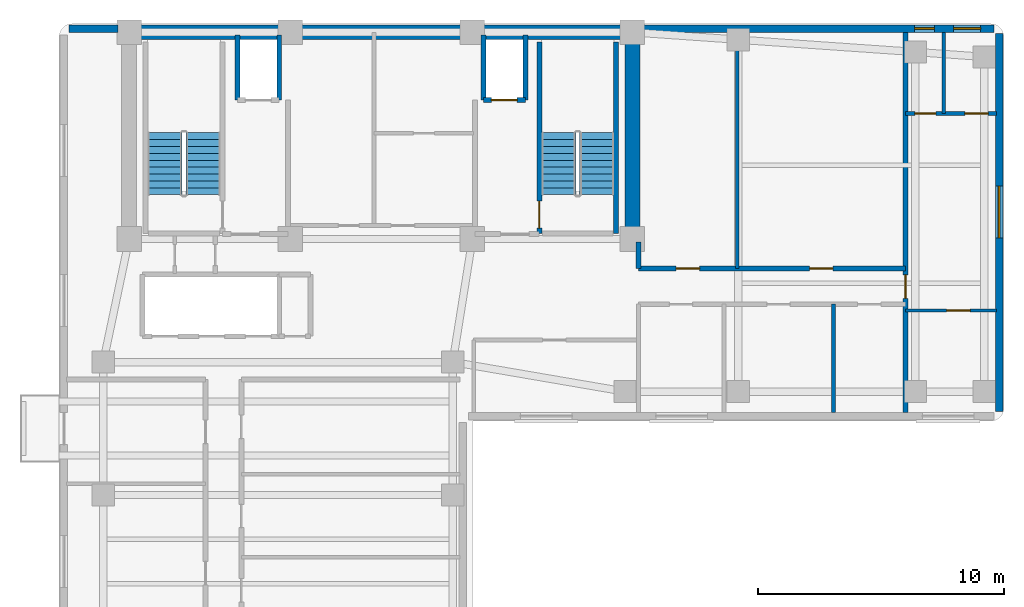
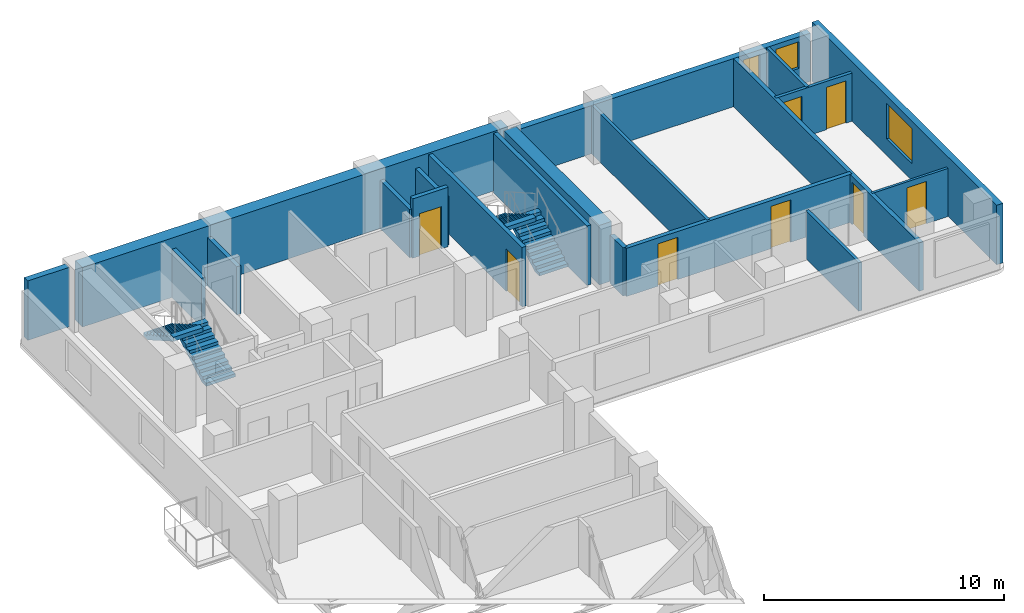
# One storey, part 4 of 6: 20 walls, 8 doors, 4 stair flights, 3 windows, 11 openings, 2 elements without a shape of their own.
"""IFC4 building model written with IfcOpenShell, lengths in metres."""

import ifcopenshell
import ifcopenshell.guid

model = None  # the IFC model being written
_history = None  # IfcOwnerHistory: only IFC2X3 demands one
_inside = {}  # id of a spatial element -> (the spatial element, [elements in it])
_under = {}  # id of a project, library or spatial element -> (it, [spatial elements below it])
_declared = {}  # id of a project -> (the project, [libraries it declares])
_typed = {}  # id of a type object -> (the type object, [elements of that type])
_made_of = {}  # id of a material, layer set ... -> (it, [elements and type objects made of it])


def new_model(schema):
    """Start an empty IFC model of exactly this schema.

    Asked for "IFC4X3", IfcOpenShell would pick the latest addendum, in which some entities
    have other attributes; the version numbers below select the first issue.
    IFC2X3 requires an IfcOwnerHistory on every rooted entity: one is made here for all.
    """
    global model, _history
    if schema == "IFC4X3":
        model = ifcopenshell.file(schema_version=(4, 3, 0, 0))
    else:
        model = ifcopenshell.file(schema=schema)
    _inside.clear()
    _under.clear()
    _declared.clear()
    _typed.clear()
    _made_of.clear()
    _history = None
    if model.schema == "IFC2X3":
        org = make("IfcOrganization", Name="unknown")
        user = make(
            "IfcPersonAndOrganization",
            ThePerson=make("IfcPerson", FamilyName="unknown"),
            TheOrganization=org,
        )
        app = make(
            "IfcApplication",
            ApplicationDeveloper=org,
            Version="unknown",
            ApplicationFullName="unknown",
            ApplicationIdentifier="unknown",
        )
        _history = make(
            "IfcOwnerHistory",
            OwningUser=user,
            OwningApplication=app,
            ChangeAction="ADDED",
            CreationDate=0,
        )
    return model


def make(cls, **values):
    """One entity of the class cls with the attributes given. An attribute that is None is left unset."""
    return model.create_entity(
        cls, **{name: value for name, value in values.items() if value is not None}
    )


def rooted(cls, **values):
    """An entity with a GlobalId (a new one), such as an element, a storey or a relation."""
    return make(cls, GlobalId=ifcopenshell.guid.new(), OwnerHistory=_history, **values)


def si_unit(unit_type, name, prefix=None):
    """IfcSIUnit, for example si_unit("LENGTHUNIT", "METRE", prefix="MILLI")."""
    return make("IfcSIUnit", UnitType=unit_type, Prefix=prefix, Name=name)


def assignment(units):
    """IfcUnitAssignment: the units of a project."""
    return None if units is None else make("IfcUnitAssignment", Units=units)


def point(xyz):
    """IfcCartesianPoint."""
    return None if xyz is None else make("IfcCartesianPoint", Coordinates=xyz)


def direction(xyz):
    """IfcDirection."""
    return None if xyz is None else make("IfcDirection", DirectionRatios=xyz)


def frame(location, z_axis=None, x_axis=None):
    """IfcAxis2Placement3D, a coordinate frame: its origin and axes. An axis left out is left unset."""
    return make(
        "IfcAxis2Placement3D",
        Location=point(location),
        Axis=direction(z_axis),
        RefDirection=direction(x_axis),
    )


def frame_2d(location, x_axis=None):
    """IfcAxis2Placement2D, a coordinate frame in the plane: its origin and x axis."""
    return make(
        "IfcAxis2Placement2D", Location=point(location), RefDirection=direction(x_axis)
    )


def origin():
    """The frame at (0, 0, 0) with its axes left unset."""
    return frame((0.0, 0.0, 0.0))


def place(relative_to, where):
    """IfcLocalPlacement: puts the frame where relative to a parent placement (None: the world)."""
    return make(
        "IfcLocalPlacement", PlacementRelTo=relative_to, RelativePlacement=where
    )


def context(
    kind, dimensions, precision=None, world=None, true_north=None, identifier=None
):
    """IfcGeometricRepresentationContext, for example the 3D "Model" context."""
    return make(
        "IfcGeometricRepresentationContext",
        ContextIdentifier=identifier,
        ContextType=kind,
        CoordinateSpaceDimension=dimensions,
        Precision=precision,
        WorldCoordinateSystem=world,
        TrueNorth=true_north,
    )


def subcontext(parent, identifier, kind, view, scale=None):
    """IfcGeometricRepresentationSubContext, for example "Body" below "Model"."""
    return make(
        "IfcGeometricRepresentationSubContext",
        ContextIdentifier=identifier,
        ContextType=kind,
        ParentContext=parent,
        TargetScale=scale,
        TargetView=view,
    )


def project(units=None, contexts=None):
    """IfcProject with its units and contexts."""
    return rooted(
        "IfcProject",
        Name="project",
        RepresentationContexts=contexts,
        UnitsInContext=assignment(units),
    )


def spatial(cls, under=None, at=None, **own):
    """A site, building, storey or space (cls), placed at a placement, below another one or the project."""
    s = rooted(cls, ObjectPlacement=at, **own)
    if under is not None:
        _under.setdefault(under.id(), (under, []))[1].append(s)
    return s


def polyline(points):
    """IfcPolyline through the points."""
    return make("IfcPolyline", Points=[point(p) for p in points])


def profile(cls, at=None, kind="AREA", **sizes):
    """A parametric profile (cls). Its sizes go by their IFC names, for example OverallWidth=200.0."""
    return make(cls, ProfileType=kind, Position=at, **sizes)


def rectangle(**sizes):
    """IfcRectangleProfileDef."""
    return profile("IfcRectangleProfileDef", **sizes)


def outline(outer, holes=None, kind="AREA"):
    """IfcArbitraryClosedProfileDef: a profile drawn as a closed curve; with holes, ...WithVoids."""
    if holes is None:
        return make("IfcArbitraryClosedProfileDef", ProfileType=kind, OuterCurve=outer)
    return make(
        "IfcArbitraryProfileDefWithVoids",
        ProfileType=kind,
        OuterCurve=outer,
        InnerCurves=holes,
    )


def extrude(swept, where, along, depth):
    """IfcExtrudedAreaSolid: the profile swept, set in the frame where, extruded along a direction by depth."""
    return make(
        "IfcExtrudedAreaSolid",
        SweptArea=swept,
        Position=where,
        ExtrudedDirection=direction(along),
        Depth=depth,
    )


def shape(context_of_items, identifier, shape_type, items):
    """IfcShapeRepresentation: the items that make up one representation, for example the "Body"."""
    return make(
        "IfcShapeRepresentation",
        ContextOfItems=context_of_items,
        RepresentationIdentifier=identifier,
        RepresentationType=shape_type,
        Items=items,
    )


def material(Name=None, Category=None):
    """IfcMaterial."""
    return make("IfcMaterial", Name=Name, Category=Category)


def layer(
    of_material, thickness, ventilated=None, Name=None, Category=None, Priority=None
):
    """IfcMaterialLayer: one layer of a wall or slab, of a material (None: an air gap)."""
    return make(
        "IfcMaterialLayer",
        Material=of_material,
        LayerThickness=thickness,
        IsVentilated=ventilated,
        Name=Name,
        Category=Category,
        Priority=Priority,
    )


def layer_set(layers, Name=None):
    """IfcMaterialLayerSet."""
    return make("IfcMaterialLayerSet", MaterialLayers=layers, LayerSetName=Name)


def made_of(thing, what):
    """Note that an element or type object is made of a material, layer set ...; save() writes the relation."""
    if what is not None:
        _made_of.setdefault(what.id(), (what, []))[1].append(thing)
    return thing


def type_object(cls, material=None, **own):
    """A type object (cls), such as IfcWallType, which elements share."""
    return made_of(rooted(cls, **own), material)


def element(
    cls,
    number,
    at=None,
    inside=None,
    cuts=None,
    type_object=None,
    material=None,
    context=None,
    identifier="Body",
    shape_type=None,
    held_by="IfcProductDefinitionShape",
    body=None,
    shapes=None,
    **own,
):
    """One element of the class cls, such as IfcWall. Its Tag is "e" and its number.

    at: its placement. inside: the storey or other place that contains it. cuts: it is an
    opening in that element (IfcRelVoidsElement). A single representation is given by context,
    identifier, shape_type and body (its items); several are given by shapes. held_by: the class
    of the entity that holds the representations. save() writes the other relations.
    """
    e = rooted(cls, Tag="e%d" % number, ObjectPlacement=at, **own)
    if body is not None:
        shapes = [shape(context, identifier, shape_type, body)]
    if shapes is not None:
        e.Representation = make(held_by, Representations=shapes)
    if inside is not None:
        _inside.setdefault(inside.id(), (inside, []))[1].append(e)
    if cuts is not None:
        rooted(
            "IfcRelVoidsElement", RelatingBuildingElement=cuts, RelatedOpeningElement=e
        )
    if type_object is not None:
        _typed.setdefault(type_object.id(), (type_object, []))[1].append(e)
    return made_of(e, material)


def fill(opening, filler):
    """IfcRelFillsElement: the door or window that sits in an opening."""
    return rooted(
        "IfcRelFillsElement",
        RelatingOpeningElement=opening,
        RelatedBuildingElement=filler,
    )


def aggregate(whole, parts):
    """IfcRelAggregates: a whole, such as a stair, and the parts it consists of."""
    return rooted("IfcRelAggregates", RelatingObject=whole, RelatedObjects=parts)


def save(model, path):
    """Write the relations noted so far, then the file.

    IfcRelAggregates (storeys below a building ...), IfcRelContainedInSpatialStructure (elements
    in a storey), IfcRelDefinesByType, IfcRelAssociatesMaterial and IfcRelDeclares: one each for
    every whole, place, type object, material and project.
    """
    for whole, parts in _under.values():
        aggregate(whole, parts)
    for where, things in _inside.values():
        rooted(
            "IfcRelContainedInSpatialStructure",
            RelatedElements=things,
            RelatingStructure=where,
        )
    for kind, things in _typed.values():
        rooted("IfcRelDefinesByType", RelatedObjects=things, RelatingType=kind)
    for what, things in _made_of.values():
        rooted("IfcRelAssociatesMaterial", RelatedObjects=things, RelatingMaterial=what)
    for by, libraries in _declared.values():
        rooted("IfcRelDeclares", RelatingContext=by, RelatedDefinitions=libraries)
    model.write(path)


model = new_model("IFC4")

# Units and contexts
model_context = context("Model", 3, precision=1e-05, world=origin(), true_north=direction((0.0, 1.0)))
body_context = subcontext(model_context, "Body", "Model", "MODEL_VIEW")
ifc_project = project(units=[si_unit("LENGTHUNIT", "METRE"), si_unit("AREAUNIT", "SQUARE_METRE"), si_unit("VOLUMEUNIT", "CUBIC_METRE"), si_unit("PLANEANGLEUNIT", "RADIAN"), si_unit("MASSUNIT", "GRAM", prefix="KILO")], contexts=[model_context])

# Site, building, storey
site_placement = place(None, origin())
site = spatial("IfcSite", under=ifc_project, at=site_placement, CompositionType="ELEMENT")
building_placement = place(site_placement, origin())
building = spatial("IfcBuilding", under=site, at=building_placement, Name="Kuzgunbayir Cultural Tower", CompositionType="ELEMENT")
storey_placement = place(building_placement, frame((0.0, 0.0, 182.39990234375)))
storey = spatial("IfcBuildingStorey", under=building, at=storey_placement, Name="L53", CompositionType="ELEMENT", Elevation=182.39990234375)

# Walls
ifc_material_1 = material(Name="Concrete C60/75", Category="concrete")
ifc_layer_1 = layer(ifc_material_1, 0.60009765625)
ifc_layer_set_1 = layer_set([ifc_layer_1], Name="Concrete C60/75")
wall_type_1 = type_object("IfcWallType", Name="WAL-CORE-600", PredefinedType="SHEAR", material=ifc_layer_set_1)
wall_1_placement = place(storey_placement, frame((6.449951171875, 42.199951171875, 0.0), z_axis=(0.0, 0.0, 1.0), x_axis=(1.0, 0.0, 0.0)))
element("IfcWall", 1, at=wall_1_placement, inside=storey, type_object=wall_type_1, Name="L53 T1 Core North Shear Wall", PredefinedType="SHEAR", context=body_context, shape_type="SweptSolid", body=[
    extrude(rectangle(XDim=20.449951171875, YDim=0.60009765625, at=frame_2d((10.22509765625, 0.0))), origin(), (0.0, 0.0, 1.0), 3.02001953125),
])
wall_2_placement = place(storey_placement, frame((26.89990234375, 33.800048828125, 0.0), z_axis=(0.0, 0.0, 1.0), x_axis=(0.0, 1.0, 0.0)))
element("IfcWall", 2, at=wall_2_placement, inside=storey, type_object=wall_type_1, Name="L53 T1 Core East Shear Wall", PredefinedType="SHEAR", context=body_context, shape_type="SweptSolid", body=[
    extrude(rectangle(XDim=7.949951171875, YDim=0.60009765625, at=frame_2d((3.97509765625, 0.0))), origin(), (0.0, 0.0, 1.0), 3.02001953125),
])

# Wall, openings, windows
ifc_material_2 = material(Name="Anatolian Cream Limestone", Category="masonry")
ifc_layer_2 = layer(ifc_material_2, 0.300048828125)
ifc_layer_set_2 = layer_set([ifc_layer_2], Name="Anatolian Cream Limestone")
wall_type_2 = type_object("IfcWallType", Name="WAL-EXT-STONE-300", PredefinedType="STANDARD", material=ifc_layer_set_2)
wall_3_placement = place(storey_placement, frame((41.60009765625, 42.35009765625, 0.0), z_axis=(0.0, 0.0, 1.0), x_axis=(-1.0, 0.0, 0.0)))
wall_3 = element("IfcWall", 3, at=wall_3_placement, inside=storey, type_object=wall_type_2, Name="L53 North Wing B Limestone Wall", PredefinedType="STANDARD", context=body_context, shape_type="SweptSolid", body=[
    extrude(rectangle(XDim=14.25, YDim=0.300048828125, at=frame_2d((7.125, 0.0))), origin(), (0.0, 0.0, 1.0), 2.4501953125),
])
opening_1_placement = place(wall_3_placement, frame((2.429931640625, 0.0, 0.85009765625)))
opening_1 = element("IfcOpeningElement", 4, at=opening_1_placement, cuts=wall_3, Name="Opening WN-08", PredefinedType="OPENING", context=body_context, shape_type="SweptSolid", body=[
    extrude(rectangle(XDim=0.800048828125, YDim=1.35009765625, at=frame_2d((0.39990234375, 0.675048828125))), frame((0.0, 0.16015625, 0.0), z_axis=(0.0, -1.0, 0.0), x_axis=(1.0, 0.0, 0.0)), (0.0, 0.0, 1.0), 0.320068359375),
])
opening_2_placement = place(wall_3_placement, frame((0.550048828125, 0.0, 0.85009765625)))
opening_2 = element("IfcOpeningElement", 5, at=opening_2_placement, cuts=wall_3, Name="Opening WN-11", PredefinedType="OPENING", context=body_context, shape_type="SweptSolid", body=[
    extrude(rectangle(XDim=1.10009765625, YDim=1.35009765625, at=frame_2d((0.550048828125, 0.675048828125))), frame((0.0, 0.16015625, 0.0), z_axis=(0.0, -1.0, 0.0), x_axis=(1.0, 0.0, 0.0)), (0.0, 0.0, 1.0), 0.320068359375),
])
ifc_material_3 = material(Name="Solar-Control Triple Glazing", Category="glass")
window_type_1 = type_object("IfcWindowType", Name="WIN-NARROW-11", PartitioningType="SINGLE_PANEL", PredefinedType="WINDOW", material=ifc_material_3)
window_1_placement = place(opening_2_placement, origin())
window_1 = element("IfcWindow", 6, at=window_1_placement, inside=storey, type_object=window_type_1, Name="L53 CRN Facade Window 7", OverallHeight=1.35009765625, OverallWidth=1.10009765625, PartitioningType="SINGLE_PANEL", PredefinedType="WINDOW", context=body_context, shape_type="SweptSolid", body=[
    extrude(rectangle(XDim=1.10009765625, YDim=1.35009765625, at=frame_2d((0.550048828125, 0.675048828125))), frame((0.0, 0.030029296875, 0.0), z_axis=(0.0, -1.0, 0.0), x_axis=(1.0, 0.0, 0.0)), (0.0, 0.0, 1.0), 0.06005859375),
])
fill(opening_2, window_1)
window_type_2 = type_object("IfcWindowType", Name="WIN-NARROW-80", PartitioningType="SINGLE_PANEL", PredefinedType="WINDOW", material=ifc_material_3)
window_2_placement = place(opening_1_placement, origin())
window_2 = element("IfcWindow", 7, at=window_2_placement, inside=storey, type_object=window_type_2, Name="L53 CRN Facade Window 6", OverallHeight=1.35009765625, OverallWidth=0.800048828125, PartitioningType="SINGLE_PANEL", PredefinedType="WINDOW", context=body_context, shape_type="SweptSolid", body=[
    extrude(rectangle(XDim=0.800048828125, YDim=1.35009765625, at=frame_2d((0.39990234375, 0.675048828125))), frame((0.0, 0.030029296875, 0.0), z_axis=(0.0, -1.0, 0.0), x_axis=(1.0, 0.0, 0.0)), (0.0, 0.0, 1.0), 0.06005859375),
])
fill(opening_1, window_2)

# Wall
wall_4_placement = place(storey_placement, frame((6.0, 42.35009765625, 0.0), z_axis=(0.0, 0.0, 1.0), x_axis=(-1.0, 0.0, 0.0)))
element("IfcWall", 8, at=wall_4_placement, inside=storey, type_object=wall_type_2, Name="L53 Core North-West Spandrel Link", PredefinedType="STANDARD", context=body_context, shape_type="SweptSolid", body=[
    extrude(rectangle(XDim=2.0, YDim=0.300048828125, at=frame_2d((1.0, 0.0))), origin(), (0.0, 0.0, 1.0), 3.02001953125),
])

# Wall, opening, window
wall_5_placement = place(storey_placement, frame((41.800048828125, 26.800048828125, 0.0), z_axis=(0.0, 0.0, 1.0), x_axis=(0.0, 1.0, 0.0)))
wall_5 = element("IfcWall", 9, at=wall_5_placement, inside=storey, type_object=wall_type_2, Name="L53 Wing B East Limestone Wall", PredefinedType="STANDARD", context=body_context, shape_type="SweptSolid", body=[
    extrude(rectangle(XDim=15.349853515625, YDim=0.300048828125, at=frame_2d((7.6748046875, 0.0))), origin(), (0.0, 0.0, 1.0), 3.02001953125),
])
opening_3_placement = place(wall_5_placement, frame((7.050048828125, 0.0, 0.85009765625)))
opening_3 = element("IfcOpeningElement", 10, at=opening_3_placement, cuts=wall_5, Name="Opening WR-21", PredefinedType="OPENING", context=body_context, shape_type="SweptSolid", body=[
    extrude(rectangle(XDim=2.10009765625, YDim=1.800048828125, at=frame_2d((1.050048828125, 0.89990234375))), frame((0.0, 0.16015625, 0.0), z_axis=(0.0, -1.0, 0.0), x_axis=(1.0, 0.0, 0.0)), (0.0, 0.0, 1.0), 0.320068359375),
])
window_type_3 = type_object("IfcWindowType", Name="WIN-RESID-21", PartitioningType="SINGLE_PANEL", PredefinedType="WINDOW", material=ifc_material_3)
window_3_placement = place(opening_3_placement, origin())
window_3 = element("IfcWindow", 11, at=window_3_placement, inside=storey, type_object=window_type_3, Name="L53 WBE Facade Window 4", OverallHeight=1.800048828125, OverallWidth=2.10009765625, PartitioningType="SINGLE_PANEL", PredefinedType="WINDOW", context=body_context, shape_type="SweptSolid", body=[
    extrude(rectangle(XDim=2.10009765625, YDim=1.800048828125, at=frame_2d((1.050048828125, 0.89990234375))), frame((0.0, 0.030029296875, 0.0), z_axis=(0.0, -1.0, 0.0), x_axis=(1.0, 0.0, 0.0)), (0.0, 0.0, 1.0), 0.06005859375),
])
fill(opening_3, window_3)

# Walls
ifc_material_4 = material(Name="Acoustic Double-Stud Drywall", Category="gypsum")
ifc_layer_3 = layer(ifc_material_4, 0.14990234375)
ifc_layer_set_3 = layer_set([ifc_layer_3], Name="Acoustic Double-Stud Drywall")
wall_type_3 = type_object("IfcWallType", Name="WAL-PART-ACOUSTIC-150", PredefinedType="PARTITIONING", material=ifc_layer_set_3)
wall_6_placement = place(storey_placement, frame((35.070068359375, 26.75, 0.0), z_axis=(0.0, 0.0, 1.0), x_axis=(0.0, 1.0, 0.0)))
element("IfcWall", 12, at=wall_6_placement, inside=storey, type_object=wall_type_3, Name="L53 Wing B South Divider 2", PredefinedType="PARTITIONING", context=body_context, shape_type="SweptSolid", body=[
    extrude(rectangle(XDim=4.39990234375, YDim=0.14990234375, at=frame_2d((2.199951171875, 0.0))), origin(), (0.0, 0.0, 1.0), 2.4501953125),
])
wall_7_placement = place(storey_placement, frame((31.159912109375, 32.60009765625, 0.0), z_axis=(0.0, 0.0, 1.0), x_axis=(0.0, 1.0, 0.0)))
element("IfcWall", 13, at=wall_7_placement, inside=storey, type_object=wall_type_3, Name="L53 Wing B North Divider 1", PredefinedType="PARTITIONING", context=body_context, shape_type="SweptSolid", body=[
    extrude(rectangle(XDim=9.599853515625, YDim=0.14990234375, at=frame_2d((4.7998046875, 0.0))), origin(), (0.0, 0.0, 1.0), 2.4501953125),
])

# Wall, openings, doors
ifc_material_5 = material(Name="Aerated Concrete Blockwork", Category="masonry")
ifc_layer_4 = layer(ifc_material_5, 0.199951171875)
ifc_layer_set_4 = layer_set([ifc_layer_4], Name="Aerated Concrete Blockwork")
wall_type_4 = type_object("IfcWallType", Name="WAL-PART-FIRE-200", PredefinedType="PARTITIONING", material=ifc_layer_set_4)
wall_8_placement = place(storey_placement, frame((27.14990234375, 32.60009765625, 0.0), z_axis=(0.0, 0.0, 1.0), x_axis=(1.0, 0.0, 0.0)))
wall_8 = element("IfcWall", 14, at=wall_8_placement, inside=storey, type_object=wall_type_4, Name="L53 Wing B Residence Corridor North Wall", PredefinedType="PARTITIONING", context=body_context, shape_type="SweptSolid", body=[
    extrude(rectangle(XDim=10.85009765625, YDim=0.199951171875, at=frame_2d((5.425048828125, 0.0))), origin(), (0.0, 0.0, 1.0), 2.4501953125),
])
opening_4_placement = place(wall_8_placement, frame((1.530029296875, 0.0, 0.0)))
opening_4 = element("IfcOpeningElement", 15, at=opening_4_placement, cuts=wall_8, Name="Opening DI-90", PredefinedType="OPENING", context=body_context, shape_type="SweptSolid", body=[
    extrude(rectangle(XDim=0.949951171875, YDim=2.14990234375, at=frame_2d((0.47509765625, 1.074951171875))), frame((0.0, 0.10986328125, 0.0), z_axis=(0.0, -1.0, 0.0), x_axis=(1.0, 0.0, 0.0)), (0.0, 0.0, 1.0), 0.219970703125),
])
opening_5_placement = place(wall_8_placement, frame((6.949951171875, 0.0, 0.0)))
opening_5 = element("IfcOpeningElement", 16, at=opening_5_placement, cuts=wall_8, Name="Opening DI-90", PredefinedType="OPENING", context=body_context, shape_type="SweptSolid", body=[
    extrude(rectangle(XDim=0.949951171875, YDim=2.14990234375, at=frame_2d((0.47509765625, 1.074951171875))), frame((0.0, 0.10986328125, 0.0), z_axis=(0.0, -1.0, 0.0), x_axis=(1.0, 0.0, 0.0)), (0.0, 0.0, 1.0), 0.219970703125),
])
ifc_material_6 = material(Name="Veneered Oak Single Leaf", Category="wood")
door_type_1 = type_object("IfcDoorType", Name="DR-INT-90", OperationType="NOTDEFINED", PredefinedType="DOOR", material=ifc_material_6)
door_1_placement = place(opening_4_placement, origin())
door_1 = element("IfcDoor", 17, at=door_1_placement, inside=storey, type_object=door_type_1, Name="L53 Residents Curatorial Office 1 Door", OperationType="SINGLE_SWING_LEFT", OverallHeight=2.14990234375, OverallWidth=0.949951171875, PredefinedType="DOOR", context=body_context, shape_type="SweptSolid", body=[
    extrude(rectangle(XDim=0.949951171875, YDim=2.14990234375, at=frame_2d((0.47509765625, 1.074951171875))), frame((0.0, 0.02490234375, 0.0), z_axis=(0.0, -1.0, 0.0), x_axis=(1.0, 0.0, 0.0)), (0.0, 0.0, 1.0), 0.050048828125),
])
fill(opening_4, door_1)
door_2_placement = place(opening_5_placement, origin())
door_2 = element("IfcDoor", 18, at=door_2_placement, inside=storey, type_object=door_type_1, Name="L53 Residents Seminar Boardroom 2 Door", OperationType="SINGLE_SWING_RIGHT", OverallHeight=2.14990234375, OverallWidth=0.949951171875, PredefinedType="DOOR", context=body_context, shape_type="SweptSolid", body=[
    extrude(rectangle(XDim=0.949951171875, YDim=2.14990234375, at=frame_2d((0.47509765625, 1.074951171875))), frame((0.0, 0.02490234375, 0.0), z_axis=(0.0, -1.0, 0.0), x_axis=(1.0, 0.0, 0.0)), (0.0, 0.0, 1.0), 0.050048828125),
])
fill(opening_5, door_2)

# Wall
wall_9_placement = place(storey_placement, frame((27.14990234375, 32.60009765625, 0.0), z_axis=(0.0, 0.0, 1.0), x_axis=(0.0, 1.0, 0.0)))
element("IfcWall", 19, at=wall_9_placement, inside=storey, type_object=wall_type_4, Name="L53 Wing B Residence North Core Closure Wall", PredefinedType="PARTITIONING", context=body_context, shape_type="SweptSolid", body=[
    extrude(rectangle(XDim=1.079833984375, YDim=0.199951171875, at=frame_2d((0.5400390625, 0.0))), origin(), (0.0, 0.0, 1.0), 2.4501953125),
])

# Wall, opening, door
wall_10_placement = place(storey_placement, frame((38.0, 26.75, 0.0), z_axis=(0.0, 0.0, 1.0), x_axis=(0.0, 1.0, 0.0)))
wall_10 = element("IfcWall", 20, at=wall_10_placement, inside=storey, type_object=wall_type_4, Name="L53 Apartment D Party Wall", PredefinedType="PARTITIONING", context=body_context, shape_type="SweptSolid", body=[
    extrude(rectangle(XDim=15.449951171875, YDim=0.199951171875, at=frame_2d((7.72509765625, 0.0))), origin(), (0.0, 0.0, 1.0), 2.4501953125),
])
opening_6_placement = place(wall_10_placement, frame((4.639892578125, 0.0, 0.0)))
opening_6 = element("IfcOpeningElement", 21, at=opening_6_placement, cuts=wall_10, Name="Opening DR-APT-60", PredefinedType="OPENING", context=body_context, shape_type="SweptSolid", body=[
    extrude(rectangle(XDim=0.949951171875, YDim=2.14990234375, at=frame_2d((0.47509765625, 1.074951171875))), frame((0.0, 0.10986328125, 0.0), z_axis=(0.0, -1.0, 0.0), x_axis=(1.0, 0.0, 0.0)), (0.0, 0.0, 1.0), 0.219970703125),
])
ifc_material_7 = material(Name="Acoustic Fire Timber Leaf", Category="wood")
door_type_2 = type_object("IfcDoorType", Name="DR-APT-60", OperationType="NOTDEFINED", PredefinedType="DOOR", material=ifc_material_7)
door_3_placement = place(opening_6_placement, origin())
door_3 = element("IfcDoor", 22, at=door_3_placement, inside=storey, type_object=door_type_2, Name="L53 Apartment D Entrance", OperationType="SINGLE_SWING_RIGHT", OverallHeight=2.14990234375, OverallWidth=0.949951171875, PredefinedType="DOOR", context=body_context, shape_type="SweptSolid", body=[
    extrude(rectangle(XDim=0.949951171875, YDim=2.14990234375, at=frame_2d((0.47509765625, 1.074951171875))), frame((0.0, 0.02490234375, 0.0), z_axis=(0.0, -1.0, 0.0), x_axis=(1.0, 0.0, 0.0)), (0.0, 0.0, 1.0), 0.050048828125),
])
fill(opening_6, door_3)

ifc_material_8 = material(Name="Framed Gypsum Partition", Category="gypsum")
ifc_layer_5 = layer(ifc_material_8, 0.1201171875)
ifc_layer_set_5 = layer_set([ifc_layer_5], Name="Framed Gypsum Partition")
wall_type_5 = type_object("IfcWallType", Name="WAL-PART-INT-120", PredefinedType="PARTITIONING", material=ifc_layer_set_5)
wall_11_placement = place(storey_placement, frame((38.0, 30.89990234375, 0.0), z_axis=(0.0, 0.0, 1.0), x_axis=(1.0, 0.0, 0.0)))
wall_11 = element("IfcWall", 23, at=wall_11_placement, inside=storey, type_object=wall_type_5, Name="L53 Flat D Bedroom Wall", PredefinedType="PARTITIONING", context=body_context, shape_type="SweptSolid", body=[
    extrude(rectangle(XDim=3.699951171875, YDim=0.1201171875, at=frame_2d((1.85009765625, 0.0))), origin(), (0.0, 0.0, 1.0), 2.4501953125),
])
opening_7_placement = place(wall_11_placement, frame((1.669921875, 0.0, 0.0)))
opening_7 = element("IfcOpeningElement", 24, at=opening_7_placement, cuts=wall_11, Name="Opening DI-90", PredefinedType="OPENING", context=body_context, shape_type="SweptSolid", body=[
    extrude(rectangle(XDim=0.949951171875, YDim=2.14990234375, at=frame_2d((0.47509765625, 1.074951171875))), frame((0.0, 0.070068359375, 0.0), z_axis=(0.0, -1.0, 0.0), x_axis=(1.0, 0.0, 0.0)), (0.0, 0.0, 1.0), 0.14013671875),
])
door_4_placement = place(opening_7_placement, origin())
door_4 = element("IfcDoor", 25, at=door_4_placement, inside=storey, type_object=door_type_1, Name="L53 Apartment D Bedroom Door", OperationType="SINGLE_SWING_LEFT", OverallHeight=2.14990234375, OverallWidth=0.949951171875, PredefinedType="DOOR", context=body_context, shape_type="SweptSolid", body=[
    extrude(rectangle(XDim=0.949951171875, YDim=2.14990234375, at=frame_2d((0.47509765625, 1.074951171875))), frame((0.0, 0.02490234375, 0.0), z_axis=(0.0, -1.0, 0.0), x_axis=(1.0, 0.0, 0.0)), (0.0, 0.0, 1.0), 0.050048828125),
])
fill(opening_7, door_4)

# Wall, openings, doors
ifc_material_9 = material(Name="Moisture-Resistant Tile Partition", Category="gypsum")
ifc_layer_6 = layer(ifc_material_9, 0.14990234375)
ifc_layer_set_6 = layer_set([ifc_layer_6], Name="Moisture-Resistant Tile Partition")
wall_type_6 = type_object("IfcWallType", Name="WAL-PART-WET-150", PredefinedType="PARTITIONING", material=ifc_layer_set_6)
wall_12_placement = place(storey_placement, frame((38.0, 38.89990234375, 0.0), z_axis=(0.0, 0.0, 1.0), x_axis=(1.0, 0.0, 0.0)))
wall_12 = element("IfcWall", 26, at=wall_12_placement, inside=storey, type_object=wall_type_6, Name="L53 Flat D Service Wall", PredefinedType="PARTITIONING", context=body_context, shape_type="SweptSolid", body=[
    extrude(rectangle(XDim=3.699951171875, YDim=0.14990234375, at=frame_2d((1.85009765625, 0.0))), origin(), (0.0, 0.0, 1.0), 2.4501953125),
])
opening_8_placement = place(wall_12_placement, frame((0.3798828125, 0.0, 0.0)))
opening_8 = element("IfcOpeningElement", 27, at=opening_8_placement, cuts=wall_12, Name="Opening DW-85", PredefinedType="OPENING", context=body_context, shape_type="SweptSolid", body=[
    extrude(rectangle(XDim=0.85009765625, YDim=2.10009765625, at=frame_2d((0.425048828125, 1.050048828125))), frame((0.0, 0.0849609375, 0.0), z_axis=(0.0, -1.0, 0.0), x_axis=(1.0, 0.0, 0.0)), (0.0, 0.0, 1.0), 0.169921875),
])
opening_9_placement = place(wall_12_placement, frame((2.409912109375, 0.0, 0.0)))
opening_9 = element("IfcOpeningElement", 28, at=opening_9_placement, cuts=wall_12, Name="Opening DI-90", PredefinedType="OPENING", context=body_context, shape_type="SweptSolid", body=[
    extrude(rectangle(XDim=0.949951171875, YDim=2.14990234375, at=frame_2d((0.47509765625, 1.074951171875))), frame((0.0, 0.0849609375, 0.0), z_axis=(0.0, -1.0, 0.0), x_axis=(1.0, 0.0, 0.0)), (0.0, 0.0, 1.0), 0.169921875),
])
door_5_placement = place(opening_9_placement, origin())
door_5 = element("IfcDoor", 29, at=door_5_placement, inside=storey, type_object=door_type_1, Name="L53 Apartment D Kitchen Door", OperationType="SINGLE_SWING_LEFT", OverallHeight=2.14990234375, OverallWidth=0.949951171875, PredefinedType="DOOR", context=body_context, shape_type="SweptSolid", body=[
    extrude(rectangle(XDim=0.949951171875, YDim=2.14990234375, at=frame_2d((0.47509765625, 1.074951171875))), frame((0.0, 0.02490234375, 0.0), z_axis=(0.0, -1.0, 0.0), x_axis=(1.0, 0.0, 0.0)), (0.0, 0.0, 1.0), 0.050048828125),
])
fill(opening_9, door_5)
ifc_material_10 = material(Name="Laminate Moisture-Resistant Leaf", Category="wood")
door_type_3 = type_object("IfcDoorType", Name="DR-WET-85", OperationType="NOTDEFINED", PredefinedType="DOOR", material=ifc_material_10)
door_6_placement = place(opening_8_placement, origin())
door_6 = element("IfcDoor", 30, at=door_6_placement, inside=storey, type_object=door_type_3, Name="L53 Apartment D Bathroom Door", OperationType="SINGLE_SWING_RIGHT", OverallHeight=2.10009765625, OverallWidth=0.85009765625, PredefinedType="DOOR", context=body_context, shape_type="SweptSolid", body=[
    extrude(rectangle(XDim=0.85009765625, YDim=2.10009765625, at=frame_2d((0.425048828125, 1.050048828125))), frame((0.0, 0.02490234375, 0.0), z_axis=(0.0, -1.0, 0.0), x_axis=(1.0, 0.0, 0.0)), (0.0, 0.0, 1.0), 0.050048828125),
])
fill(opening_8, door_6)

# Wall
wall_13_placement = place(storey_placement, frame((39.550048828125, 38.89990234375, 0.0), z_axis=(0.0, 0.0, 1.0), x_axis=(0.0, 1.0, 0.0)))
element("IfcWall", 31, at=wall_13_placement, inside=storey, type_object=wall_type_6, Name="L53 Flat D Bath Divider", PredefinedType="PARTITIONING", context=body_context, shape_type="SweptSolid", body=[
    extrude(rectangle(XDim=3.300048828125, YDim=0.14990234375, at=frame_2d((1.64990234375, 0.0))), origin(), (0.0, 0.0, 1.0), 2.4501953125),
])

# Wall, opening, door
ifc_material_11 = material(Name="Concrete C40/50", Category="concrete")
ifc_layer_7 = layer(ifc_material_11, 0.199951171875)
ifc_layer_set_7 = layer_set([ifc_layer_7], Name="Concrete C40/50")
wall_type_7 = type_object("IfcWallType", Name="WAL-SHAFT-200", PredefinedType="MOVABLE", material=ifc_layer_set_7)
wall_14_placement = place(storey_placement, frame((20.85009765625, 39.449951171875, 0.0), z_axis=(0.0, 0.0, 1.0), x_axis=(1.0, 0.0, 0.0)))
wall_14 = element("IfcWall", 32, at=wall_14_placement, inside=storey, type_object=wall_type_7, Name="L53 FFL-2 Lift Front Wall", PredefinedType="MOVABLE", context=body_context, shape_type="SweptSolid", body=[
    extrude(rectangle(XDim=1.699951171875, YDim=0.199951171875, at=frame_2d((0.85009765625, 0.0))), origin(), (0.0, 0.0, 1.0), 3.02001953125),
])
opening_10_placement = place(wall_14_placement, frame((0.320068359375, 0.0, 0.0)))
opening_10 = element("IfcOpeningElement", 33, at=opening_10_placement, cuts=wall_14, Name="Opening LD", PredefinedType="OPENING", context=body_context, shape_type="SweptSolid", body=[
    extrude(rectangle(XDim=1.050048828125, YDim=2.14990234375, at=frame_2d((0.52490234375, 1.074951171875))), frame((0.0, 0.10986328125, 0.0), z_axis=(0.0, -1.0, 0.0), x_axis=(1.0, 0.0, 0.0)), (0.0, 0.0, 1.0), 0.219970703125),
])
ifc_material_12 = material(Name="Brushed Stainless Steel", Category="steel")
door_type_4 = type_object("IfcDoorType", Name="DR-LIFT-LANDING", OperationType="SLIDING_TO_LEFT", PredefinedType="DOOR", material=ifc_material_12)
door_7_placement = place(opening_10_placement, origin())
door_7 = element("IfcDoor", 34, at=door_7_placement, inside=storey, type_object=door_type_4, Name="L53 Lift FFL-2 Landing Door", OperationType="SLIDING_TO_LEFT", OverallHeight=2.14990234375, OverallWidth=1.050048828125, PredefinedType="DOOR", context=body_context, shape_type="SweptSolid", body=[
    extrude(rectangle(XDim=1.050048828125, YDim=2.14990234375, at=frame_2d((0.52490234375, 1.074951171875))), frame((0.0, 0.02490234375, 0.0), z_axis=(0.0, -1.0, 0.0), x_axis=(1.0, 0.0, 0.0)), (0.0, 0.0, 1.0), 0.050048828125),
])
fill(opening_10, door_7)

# Walls
for number, where, z_axis, x_axis, name in (
    (35, (10.85009765625, 39.449951171875, 0.0), (0.0, 0.0, 1.0), (0.0, 1.0, 0.0), "L53 FFL-1 Shaft West Wall"),
    (36, (12.550048828125, 39.449951171875, 0.0), (0.0, 0.0, 1.0), (0.0, 1.0, 0.0), "L53 FFL-1 Shaft East Wall"),
    (37, (20.85009765625, 39.449951171875, 0.0), (0.0, 0.0, 1.0), (0.0, 1.0, 0.0), "L53 FFL-2 Shaft West Wall"),
    (38, (22.550048828125, 39.449951171875, 0.0), (0.0, 0.0, 1.0), (0.0, 1.0, 0.0), "L53 FFL-2 Shaft East Wall"),
):
    element("IfcWall", number, at=place(storey_placement, frame(where, z_axis=z_axis, x_axis=x_axis)), inside=storey, type_object=wall_type_7, Name=name, PredefinedType="MOVABLE", context=body_context, shape_type="SweptSolid", body=[
        extrude(rectangle(XDim=2.650146484375, YDim=0.199951171875, at=frame_2d((1.3251953125, 0.0))), origin(), (0.0, 0.0, 1.0), 2.4501953125),
    ])

# Wall, opening, door
ifc_layer_8 = layer(ifc_material_11, 0.199951171875)
ifc_layer_set_8 = layer_set([ifc_layer_8], Name="Concrete C40/50")
wall_type_8 = type_object("IfcWallType", Name="WAL-STAIR-RC-200", PredefinedType="SHEAR", material=ifc_layer_set_8)
wall_15_placement = place(storey_placement, frame((23.1201171875, 34.02001953125, 0.0), z_axis=(0.0, 0.0, 1.0), x_axis=(0.0, 1.0, 0.0)))
wall_15 = element("IfcWall", 39, at=wall_15_placement, inside=storey, type_object=wall_type_8, Name="L53 Stair ST-2 West Structural Wall", PredefinedType="SHEAR", context=body_context, shape_type="SweptSolid", body=[
    extrude(rectangle(XDim=7.780029296875, YDim=0.199951171875, at=frame_2d((3.89013671875, 0.0))), origin(), (0.0, 0.0, 1.0), 3.02001953125),
])
opening_11_placement = place(wall_15_placement, frame((0.219970703125, 0.0, 0.0)))
opening_11 = element("IfcOpeningElement", 40, at=opening_11_placement, cuts=wall_15, Name="Opening DR-STAIR-90", PredefinedType="OPENING", context=body_context, shape_type="SweptSolid", body=[
    extrude(rectangle(XDim=1.10009765625, YDim=2.14990234375, at=frame_2d((0.550048828125, 1.074951171875))), frame((0.0, 0.10986328125, 0.0), z_axis=(0.0, -1.0, 0.0), x_axis=(1.0, 0.0, 0.0)), (0.0, 0.0, 1.0), 0.219970703125),
])
ifc_material_13 = material(Name="Steel S355J2", Category="steel")
door_type_5 = type_object("IfcDoorType", Name="DR-STAIR-90", OperationType="NOTDEFINED", PredefinedType="DOOR", material=ifc_material_13)
door_8_placement = place(opening_11_placement, origin())
door_8 = element("IfcDoor", 41, at=door_8_placement, inside=storey, type_object=door_type_5, Name="L53 Stair ST-2 Fire Door", OperationType="SINGLE_SWING_LEFT", OverallHeight=2.14990234375, OverallWidth=1.10009765625, PredefinedType="DOOR", context=body_context, shape_type="SweptSolid", body=[
    extrude(rectangle(XDim=1.10009765625, YDim=2.14990234375, at=frame_2d((0.550048828125, 1.074951171875))), frame((0.0, 0.02490234375, 0.0), z_axis=(0.0, -1.0, 0.0), x_axis=(1.0, 0.0, 0.0)), (0.0, 0.0, 1.0), 0.050048828125),
])
fill(opening_11, door_8)

# Wall
wall_16_placement = place(storey_placement, frame((26.239990234375, 34.02001953125, 0.0), z_axis=(0.0, 0.0, 1.0), x_axis=(0.0, 1.0, 0.0)))
element("IfcWall", 42, at=wall_16_placement, inside=storey, type_object=wall_type_8, Name="L53 Stair ST-2 East Structural Wall", PredefinedType="SHEAR", context=body_context, shape_type="SweptSolid", body=[
    extrude(rectangle(XDim=7.780029296875, YDim=0.199951171875, at=frame_2d((3.89013671875, 0.0))), origin(), (0.0, 0.0, 1.0), 3.02001953125),
])

# Stair, stair flights
stair_type = type_object("IfcStairType", Name="STR-EXIT-CORE", PredefinedType="HALF_TURN_STAIR", material=ifc_material_11)
stair_1_placement = place(storey_placement, origin())
stair_1 = element("IfcStair", 43, at=stair_1_placement, inside=storey, type_object=stair_type, Name="L53 ST-1", PredefinedType="HALF_TURN_STAIR")
stair_flight_type = type_object("IfcStairFlightType", Name="STRF-RC-140", PredefinedType="STRAIGHT", material=ifc_material_11)
stair_flight_1_placement = place(storey_placement, frame((9.4599609375, 35.60009765625, 0.0), z_axis=(0.0, 0.0, 1.0), x_axis=(0.0, 1.0, 0.0)))
stair_flight_1 = element("IfcStairFlight", 44, at=stair_flight_1_placement, type_object=stair_flight_type, Name="ST-1 flight 1", NumberOfRisers=10, NumberOfTreads=9, PredefinedType="STRAIGHT", RiserHeight=0.16, TreadLength=0.28, context=body_context, shape_type="SweptSolid", body=[
    extrude(outline(polyline([(0.0, 0.0), (0.0, 0.159912109375), (0.280029296875, 0.159912109375), (0.280029296875, 0.320068359375), (0.56005859375, 0.320068359375), (0.56005859375, 0.47998046875), (0.840087890625, 0.47998046875), (0.840087890625, 0.639892578125), (1.1201171875, 0.639892578125), (1.1201171875, 0.800048828125), (1.39990234375, 0.800048828125), (1.39990234375, 0.9599609375), (1.679931640625, 0.9599609375), (1.679931640625, 1.1201171875), (1.9599609375, 1.1201171875), (1.9599609375, 1.280029296875), (2.239990234375, 1.280029296875), (2.239990234375, 1.43994140625), (2.52001953125, 1.43994140625), (2.52001953125, 1.60009765625), (2.52001953125, 1.232666015625), (0.362548828125, 0.0), (0.0, 0.0)])), frame((0.0, 0.699951171875, 0.0), z_axis=(0.0, -1.0, 0.0), x_axis=(1.0, 0.0, 0.0)), (0.0, 0.0, 1.0), 1.39990234375),
])
stair_flight_2_placement = place(storey_placement, frame((7.89990234375, 38.1201171875, 1.60009765625), z_axis=(0.0, 0.0, 1.0), x_axis=(0.0, -1.0, 0.0)))
stair_flight_2 = element("IfcStairFlight", 45, at=stair_flight_2_placement, type_object=stair_flight_type, Name="ST-1 flight 2", NumberOfRisers=10, NumberOfTreads=9, PredefinedType="STRAIGHT", RiserHeight=0.16, TreadLength=0.28, context=body_context, shape_type="SweptSolid", body=[
    extrude(outline(polyline([(0.0, 0.0), (0.0, 0.159912109375), (0.280029296875, 0.159912109375), (0.280029296875, 0.320068359375), (0.56005859375, 0.320068359375), (0.56005859375, 0.47998046875), (0.840087890625, 0.47998046875), (0.840087890625, 0.639892578125), (1.1201171875, 0.639892578125), (1.1201171875, 0.800048828125), (1.39990234375, 0.800048828125), (1.39990234375, 0.9599609375), (1.679931640625, 0.9599609375), (1.679931640625, 1.1201171875), (1.9599609375, 1.1201171875), (1.9599609375, 1.280029296875), (2.239990234375, 1.280029296875), (2.239990234375, 1.43994140625), (2.52001953125, 1.43994140625), (2.52001953125, 1.60009765625), (2.52001953125, 1.232666015625), (0.362548828125, 0.0), (0.0, 0.0)])), frame((0.0, 0.699951171875, 0.0), z_axis=(0.0, -1.0, 0.0), x_axis=(1.0, 0.0, 0.0)), (0.0, 0.0, 1.0), 1.39990234375),
])
aggregate(stair_1, [stair_flight_1, stair_flight_2])

stair_2_placement = place(storey_placement, origin())
stair_2 = element("IfcStair", 46, at=stair_2_placement, inside=storey, type_object=stair_type, Name="L53 ST-2", PredefinedType="HALF_TURN_STAIR")
stair_flight_3_placement = place(storey_placement, frame((25.4599609375, 35.60009765625, 0.0), z_axis=(0.0, 0.0, 1.0), x_axis=(0.0, 1.0, 0.0)))
stair_flight_3 = element("IfcStairFlight", 47, at=stair_flight_3_placement, type_object=stair_flight_type, Name="ST-2 flight 1", NumberOfRisers=10, NumberOfTreads=9, PredefinedType="STRAIGHT", RiserHeight=0.16, TreadLength=0.28, context=body_context, shape_type="SweptSolid", body=[
    extrude(outline(polyline([(0.0, 0.0), (0.0, 0.159912109375), (0.280029296875, 0.159912109375), (0.280029296875, 0.320068359375), (0.56005859375, 0.320068359375), (0.56005859375, 0.47998046875), (0.840087890625, 0.47998046875), (0.840087890625, 0.639892578125), (1.1201171875, 0.639892578125), (1.1201171875, 0.800048828125), (1.39990234375, 0.800048828125), (1.39990234375, 0.9599609375), (1.679931640625, 0.9599609375), (1.679931640625, 1.1201171875), (1.9599609375, 1.1201171875), (1.9599609375, 1.280029296875), (2.239990234375, 1.280029296875), (2.239990234375, 1.43994140625), (2.52001953125, 1.43994140625), (2.52001953125, 1.60009765625), (2.52001953125, 1.232666015625), (0.362548828125, 0.0), (0.0, 0.0)])), frame((0.0, 0.699951171875, 0.0), z_axis=(0.0, -1.0, 0.0), x_axis=(1.0, 0.0, 0.0)), (0.0, 0.0, 1.0), 1.39990234375),
])
stair_flight_4_placement = place(storey_placement, frame((23.89990234375, 38.1201171875, 1.60009765625), z_axis=(0.0, 0.0, 1.0), x_axis=(0.0, -1.0, 0.0)))
stair_flight_4 = element("IfcStairFlight", 48, at=stair_flight_4_placement, type_object=stair_flight_type, Name="ST-2 flight 2", NumberOfRisers=10, NumberOfTreads=9, PredefinedType="STRAIGHT", RiserHeight=0.16, TreadLength=0.28, context=body_context, shape_type="SweptSolid", body=[
    extrude(outline(polyline([(0.0, 0.0), (0.0, 0.159912109375), (0.280029296875, 0.159912109375), (0.280029296875, 0.320068359375), (0.56005859375, 0.320068359375), (0.56005859375, 0.47998046875), (0.840087890625, 0.47998046875), (0.840087890625, 0.639892578125), (1.1201171875, 0.639892578125), (1.1201171875, 0.800048828125), (1.39990234375, 0.800048828125), (1.39990234375, 0.9599609375), (1.679931640625, 0.9599609375), (1.679931640625, 1.1201171875), (1.9599609375, 1.1201171875), (1.9599609375, 1.280029296875), (2.239990234375, 1.280029296875), (2.239990234375, 1.43994140625), (2.52001953125, 1.43994140625), (2.52001953125, 1.60009765625), (2.52001953125, 1.232666015625), (0.362548828125, 0.0), (0.0, 0.0)])), frame((0.0, 0.699951171875, 0.0), z_axis=(0.0, -1.0, 0.0), x_axis=(1.0, 0.0, 0.0)), (0.0, 0.0, 1.0), 1.39990234375),
])
aggregate(stair_2, [stair_flight_3, stair_flight_4])

save(model, "model.ifc")
